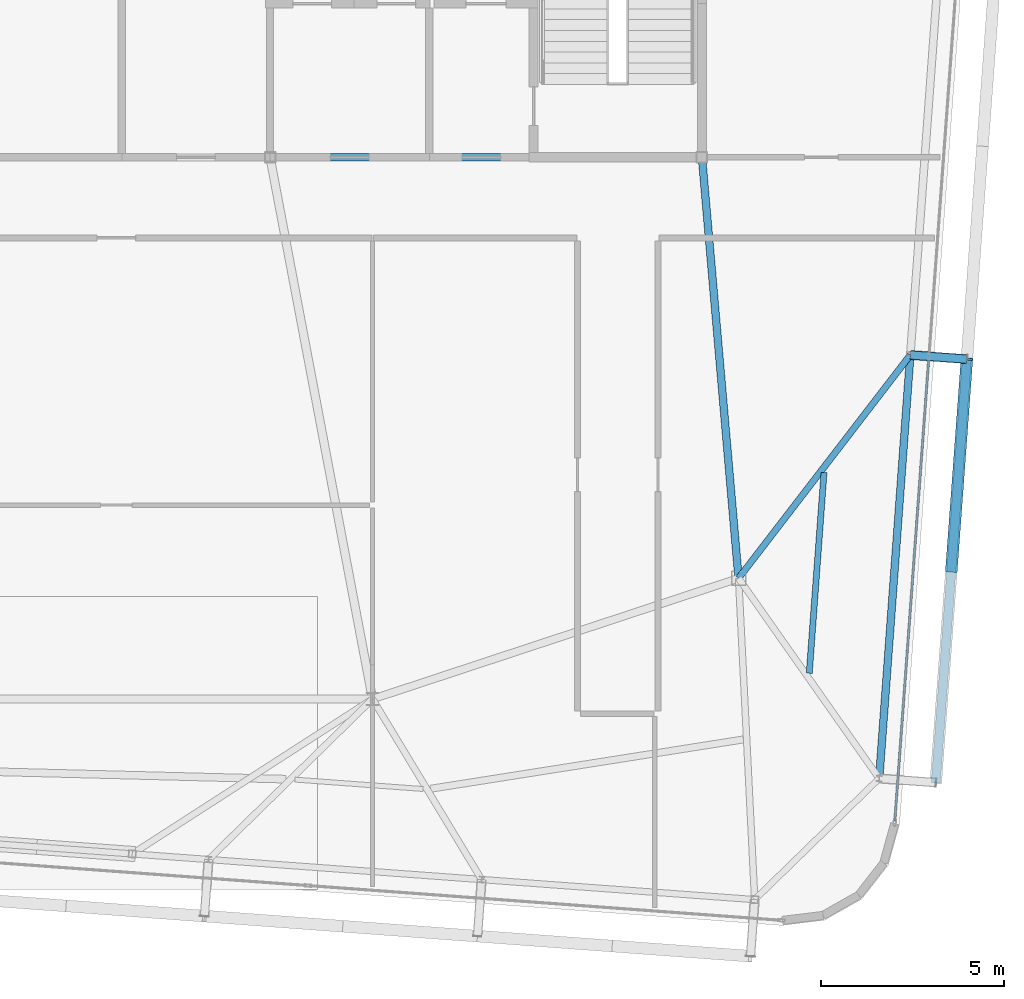
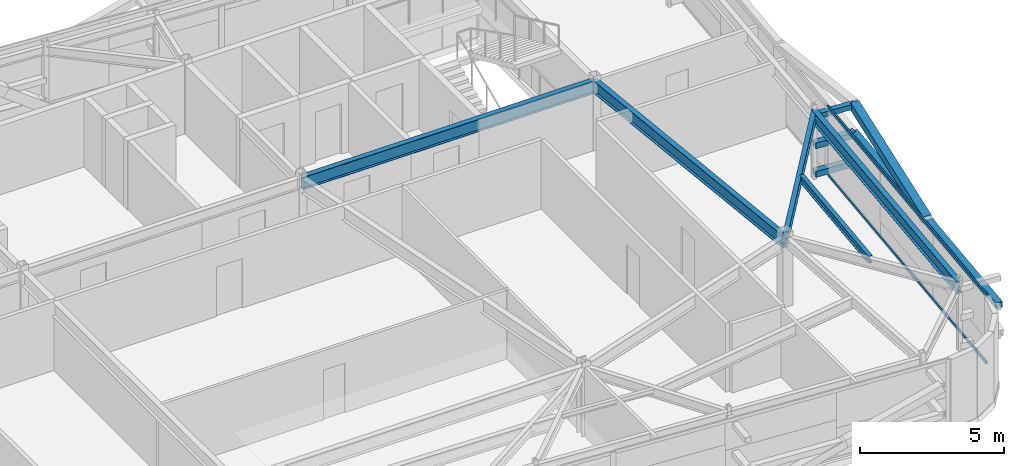
# One storey, part 16 of 35: 7 members, 5 beams, 1 element without a shape of its own.
"""IFC4 building model written with IfcOpenShell, lengths in metres."""

import ifcopenshell
import ifcopenshell.guid

model = None  # the IFC model being written
_history = None  # IfcOwnerHistory: only IFC2X3 demands one
_inside = {}  # id of a spatial element -> (the spatial element, [elements in it])
_under = {}  # id of a project, library or spatial element -> (it, [spatial elements below it])
_declared = {}  # id of a project -> (the project, [libraries it declares])
_typed = {}  # id of a type object -> (the type object, [elements of that type])
_made_of = {}  # id of a material, layer set ... -> (it, [elements and type objects made of it])


def new_model(schema):
    """Start an empty IFC model of exactly this schema.

    Asked for "IFC4X3", IfcOpenShell would pick the latest addendum, in which some entities
    have other attributes; the version numbers below select the first issue.
    IFC2X3 requires an IfcOwnerHistory on every rooted entity: one is made here for all.
    """
    global model, _history
    if schema == "IFC4X3":
        model = ifcopenshell.file(schema_version=(4, 3, 0, 0))
    else:
        model = ifcopenshell.file(schema=schema)
    _inside.clear()
    _under.clear()
    _declared.clear()
    _typed.clear()
    _made_of.clear()
    _history = None
    if model.schema == "IFC2X3":
        org = make("IfcOrganization", Name="unknown")
        user = make(
            "IfcPersonAndOrganization",
            ThePerson=make("IfcPerson", FamilyName="unknown"),
            TheOrganization=org,
        )
        app = make(
            "IfcApplication",
            ApplicationDeveloper=org,
            Version="unknown",
            ApplicationFullName="unknown",
            ApplicationIdentifier="unknown",
        )
        _history = make(
            "IfcOwnerHistory",
            OwningUser=user,
            OwningApplication=app,
            ChangeAction="ADDED",
            CreationDate=0,
        )
    return model


def make(cls, **values):
    """One entity of the class cls with the attributes given. An attribute that is None is left unset."""
    return model.create_entity(
        cls, **{name: value for name, value in values.items() if value is not None}
    )


def rooted(cls, **values):
    """An entity with a GlobalId (a new one), such as an element, a storey or a relation."""
    return make(cls, GlobalId=ifcopenshell.guid.new(), OwnerHistory=_history, **values)


def si_unit(unit_type, name, prefix=None):
    """IfcSIUnit, for example si_unit("LENGTHUNIT", "METRE", prefix="MILLI")."""
    return make("IfcSIUnit", UnitType=unit_type, Prefix=prefix, Name=name)


def assignment(units):
    """IfcUnitAssignment: the units of a project."""
    return None if units is None else make("IfcUnitAssignment", Units=units)


def point(xyz):
    """IfcCartesianPoint."""
    return None if xyz is None else make("IfcCartesianPoint", Coordinates=xyz)


def direction(xyz):
    """IfcDirection."""
    return None if xyz is None else make("IfcDirection", DirectionRatios=xyz)


def frame(location, z_axis=None, x_axis=None):
    """IfcAxis2Placement3D, a coordinate frame: its origin and axes. An axis left out is left unset."""
    return make(
        "IfcAxis2Placement3D",
        Location=point(location),
        Axis=direction(z_axis),
        RefDirection=direction(x_axis),
    )


def frame_2d(location, x_axis=None):
    """IfcAxis2Placement2D, a coordinate frame in the plane: its origin and x axis."""
    return make(
        "IfcAxis2Placement2D", Location=point(location), RefDirection=direction(x_axis)
    )


def origin():
    """The frame at (0, 0, 0) with its axes left unset."""
    return frame((0.0, 0.0, 0.0))


def origin_2d():
    """The frame at (0, 0) in the plane with its x axis left unset."""
    return frame_2d((0.0, 0.0))


def place(relative_to, where):
    """IfcLocalPlacement: puts the frame where relative to a parent placement (None: the world)."""
    return make(
        "IfcLocalPlacement", PlacementRelTo=relative_to, RelativePlacement=where
    )


def context(
    kind, dimensions, precision=None, world=None, true_north=None, identifier=None
):
    """IfcGeometricRepresentationContext, for example the 3D "Model" context."""
    return make(
        "IfcGeometricRepresentationContext",
        ContextIdentifier=identifier,
        ContextType=kind,
        CoordinateSpaceDimension=dimensions,
        Precision=precision,
        WorldCoordinateSystem=world,
        TrueNorth=true_north,
    )


def subcontext(parent, identifier, kind, view, scale=None):
    """IfcGeometricRepresentationSubContext, for example "Body" below "Model"."""
    return make(
        "IfcGeometricRepresentationSubContext",
        ContextIdentifier=identifier,
        ContextType=kind,
        ParentContext=parent,
        TargetScale=scale,
        TargetView=view,
    )


def project(units=None, contexts=None):
    """IfcProject with its units and contexts."""
    return rooted(
        "IfcProject",
        Name="project",
        RepresentationContexts=contexts,
        UnitsInContext=assignment(units),
    )


def spatial(cls, under=None, at=None, **own):
    """A site, building, storey or space (cls), placed at a placement, below another one or the project."""
    s = rooted(cls, ObjectPlacement=at, **own)
    if under is not None:
        _under.setdefault(under.id(), (under, []))[1].append(s)
    return s


def profile(cls, at=None, kind="AREA", **sizes):
    """A parametric profile (cls). Its sizes go by their IFC names, for example OverallWidth=200.0."""
    return make(cls, ProfileType=kind, Position=at, **sizes)


def hollow_rectangle(**sizes):
    """IfcRectangleHollowProfileDef."""
    return profile("IfcRectangleHollowProfileDef", **sizes)


def i_section(**sizes):
    """IfcIShapeProfileDef."""
    return profile("IfcIShapeProfileDef", **sizes)


def extrude(swept, where, along, depth):
    """IfcExtrudedAreaSolid: the profile swept, set in the frame where, extruded along a direction by depth."""
    return make(
        "IfcExtrudedAreaSolid",
        SweptArea=swept,
        Position=where,
        ExtrudedDirection=direction(along),
        Depth=depth,
    )


def shape(context_of_items, identifier, shape_type, items):
    """IfcShapeRepresentation: the items that make up one representation, for example the "Body"."""
    return make(
        "IfcShapeRepresentation",
        ContextOfItems=context_of_items,
        RepresentationIdentifier=identifier,
        RepresentationType=shape_type,
        Items=items,
    )


def source(mapping_origin, context_of_items, identifier, shape_type, items):
    """IfcRepresentationMap: a shape defined once, which mapped items show again and again."""
    return make(
        "IfcRepresentationMap",
        MappingOrigin=mapping_origin,
        MappedRepresentation=shape(context_of_items, identifier, shape_type, items),
    )


def transform(
    local_origin,
    x_axis=None,
    y_axis=None,
    z_axis=None,
    scale=None,
    scale2=None,
    scale3=None,
    uniform=True,
):
    """IfcCartesianTransformationOperator3D, or its non-uniform kind. x_axis, y_axis, z_axis: its Axis1, 2, 3."""
    if uniform:
        return make(
            "IfcCartesianTransformationOperator3D",
            Axis1=direction(x_axis),
            Axis2=direction(y_axis),
            LocalOrigin=point(local_origin),
            Scale=scale,
            Axis3=direction(z_axis),
        )
    return make(
        "IfcCartesianTransformationOperator3DnonUniform",
        Axis1=direction(x_axis),
        Axis2=direction(y_axis),
        LocalOrigin=point(local_origin),
        Scale=scale,
        Axis3=direction(z_axis),
        Scale2=scale2,
        Scale3=scale3,
    )


def mapped(mapping_source, mapping_target):
    """IfcMappedItem: shows the shape of a source again, moved by a transform."""
    return make(
        "IfcMappedItem", MappingSource=mapping_source, MappingTarget=mapping_target
    )


def material(Name=None, Category=None):
    """IfcMaterial."""
    return make("IfcMaterial", Name=Name, Category=Category)


def layer(
    of_material, thickness, ventilated=None, Name=None, Category=None, Priority=None
):
    """IfcMaterialLayer: one layer of a wall or slab, of a material (None: an air gap)."""
    return make(
        "IfcMaterialLayer",
        Material=of_material,
        LayerThickness=thickness,
        IsVentilated=ventilated,
        Name=Name,
        Category=Category,
        Priority=Priority,
    )


def layer_set(layers, Name=None):
    """IfcMaterialLayerSet."""
    return make("IfcMaterialLayerSet", MaterialLayers=layers, LayerSetName=Name)


def material_profile(
    of_material, cross_section, Name=None, Category=None, Priority=None
):
    """IfcMaterialProfile: a cross section and its material."""
    return make(
        "IfcMaterialProfile",
        Name=Name,
        Material=of_material,
        Profile=cross_section,
        Priority=Priority,
        Category=Category,
    )


def profile_set(profiles, Name=None, composite=None):
    """IfcMaterialProfileSet."""
    return make(
        "IfcMaterialProfileSet",
        Name=Name,
        MaterialProfiles=profiles,
        CompositeProfile=composite,
    )


def made_of(thing, what):
    """Note that an element or type object is made of a material, layer set ...; save() writes the relation."""
    if what is not None:
        _made_of.setdefault(what.id(), (what, []))[1].append(thing)
    return thing


def type_object(cls, material=None, **own):
    """A type object (cls), such as IfcWallType, which elements share."""
    return made_of(rooted(cls, **own), material)


def element(
    cls,
    number,
    at=None,
    inside=None,
    cuts=None,
    type_object=None,
    material=None,
    context=None,
    identifier="Body",
    shape_type=None,
    held_by="IfcProductDefinitionShape",
    body=None,
    shapes=None,
    **own,
):
    """One element of the class cls, such as IfcWall. Its Tag is "e" and its number.

    at: its placement. inside: the storey or other place that contains it. cuts: it is an
    opening in that element (IfcRelVoidsElement). A single representation is given by context,
    identifier, shape_type and body (its items); several are given by shapes. held_by: the class
    of the entity that holds the representations. save() writes the other relations.
    """
    e = rooted(cls, Tag="e%d" % number, ObjectPlacement=at, **own)
    if body is not None:
        shapes = [shape(context, identifier, shape_type, body)]
    if shapes is not None:
        e.Representation = make(held_by, Representations=shapes)
    if inside is not None:
        _inside.setdefault(inside.id(), (inside, []))[1].append(e)
    if cuts is not None:
        rooted(
            "IfcRelVoidsElement", RelatingBuildingElement=cuts, RelatedOpeningElement=e
        )
    if type_object is not None:
        _typed.setdefault(type_object.id(), (type_object, []))[1].append(e)
    return made_of(e, material)


def aggregate(whole, parts):
    """IfcRelAggregates: a whole, such as a stair, and the parts it consists of."""
    return rooted("IfcRelAggregates", RelatingObject=whole, RelatedObjects=parts)


def save(model, path):
    """Write the relations noted so far, then the file.

    IfcRelAggregates (storeys below a building ...), IfcRelContainedInSpatialStructure (elements
    in a storey), IfcRelDefinesByType, IfcRelAssociatesMaterial and IfcRelDeclares: one each for
    every whole, place, type object, material and project.
    """
    for whole, parts in _under.values():
        aggregate(whole, parts)
    for where, things in _inside.values():
        rooted(
            "IfcRelContainedInSpatialStructure",
            RelatedElements=things,
            RelatingStructure=where,
        )
    for kind, things in _typed.values():
        rooted("IfcRelDefinesByType", RelatedObjects=things, RelatingType=kind)
    for what, things in _made_of.values():
        rooted("IfcRelAssociatesMaterial", RelatedObjects=things, RelatingMaterial=what)
    for by, libraries in _declared.values():
        rooted("IfcRelDeclares", RelatingContext=by, RelatedDefinitions=libraries)
    model.write(path)


model = new_model("IFC4")

# Units and contexts
model_context = context("Model", 3, precision=1e-05, world=origin(), true_north=direction((0.0, 1.0)))
body_context = subcontext(model_context, "Body", "Model", "MODEL_VIEW")
ifc_project = project(units=[si_unit("LENGTHUNIT", "METRE"), si_unit("AREAUNIT", "SQUARE_METRE"), si_unit("VOLUMEUNIT", "CUBIC_METRE"), si_unit("PLANEANGLEUNIT", "RADIAN"), si_unit("MASSUNIT", "GRAM", prefix="KILO")], contexts=[model_context])

# Site, building, storey
site_placement = place(None, origin())
site = spatial("IfcSite", under=ifc_project, at=site_placement, CompositionType="ELEMENT")
building_placement = place(site_placement, origin())
building = spatial("IfcBuilding", under=site, at=building_placement, Name="Taldren Reach Tower", CompositionType="ELEMENT")
storey_placement = place(building_placement, frame((0.0, 0.0, 236.60009765625)))
storey = spatial("IfcBuildingStorey", under=building, at=storey_placement, Name="L72", CompositionType="ELEMENT", Elevation=236.60009765625)

# Beams
ifc_material_1 = material(Name="Steel Gr 350 (350PLUS)", Category="steel")
ifc_material_profile_1 = material_profile(ifc_material_1, i_section(OverallWidth=0.208984375, OverallDepth=0.532958984375, WebThickness=0.01025390625, FlangeThickness=0.015625, at=origin_2d()), Name="530UB92.4")
ifc_profile_set_1 = profile_set([ifc_material_profile_1], Name="Steel Gr 350 (350PLUS)")
beam_type_1 = type_object("IfcBeamType", Name="BM-UB530A", PredefinedType="BEAM", material=ifc_profile_set_1)
shared_shape_1 = source(origin(), body_context, "Body", "SweptSolid", [
    extrude(i_section(OverallWidth=0.208984375, OverallDepth=0.532958984375, WebThickness=0.01025390625, FlangeThickness=0.015625, at=origin_2d()), origin(), (0.0, 0.0, 1.0), 11.800048828125),
])
beam_1_placement = place(storey_placement, frame((39.199951171875, 24.0, 2.663330078125), z_axis=(1.0, 0.0, 0.0), x_axis=(0.0, 1.0, 0.0)))
element("IfcBeam", 1, at=beam_1_placement, inside=storey, type_object=beam_type_1, Name="Core-spine girder L72-SP03", PredefinedType="BEAM", context=body_context, shape_type="MappedRepresentation", body=[
    mapped(shared_shape_1, transform((0.0, 0.0, 0.0), scale=1.0)),
])
shared_shape_2 = source(origin(), body_context, "Body", "SweptSolid", [
    extrude(i_section(OverallWidth=0.208984375, OverallDepth=0.532958984375, WebThickness=0.01025390625, FlangeThickness=0.015625, at=origin_2d()), origin(), (0.0, 0.0, 1.0), 11.54345703125),
])
beam_2_placement = place(storey_placement, frame((52.0, 12.5, 2.663330078125), z_axis=(-0.086629616365, 0.996240588196, 0.0), x_axis=(-0.996240588196, -0.086629616365, 0.0)))
element("IfcBeam", 2, at=beam_2_placement, inside=storey, type_object=beam_type_1, Name="Core-spine girder L72-SP13", PredefinedType="BEAM", context=body_context, shape_type="MappedRepresentation", body=[
    mapped(shared_shape_2, transform((0.0, 0.0, 0.0), scale=1.0)),
])
ifc_material_profile_2 = material_profile(ifc_material_1, i_section(OverallWidth=0.208984375, OverallDepth=0.528076171875, WebThickness=0.009521484375, FlangeThickness=0.01318359375, at=origin_2d()), Name="530UB82.0")
ifc_profile_set_2 = profile_set([ifc_material_profile_2], Name="Steel Gr 350 (350PLUS)")
beam_type_2 = type_object("IfcBeamType", Name="SP-UB530B", PredefinedType="SPANDREL", material=ifc_profile_set_2)
shared_shape_3 = source(origin(), body_context, "Body", "SweptSolid", [
    extrude(i_section(OverallWidth=0.208984375, OverallDepth=0.528076171875, WebThickness=0.009521484375, FlangeThickness=0.01318359375, at=origin_2d()), origin(), (0.0, 0.0, 1.0), 11.60009765625),
])
beam_3_placement = place(storey_placement, frame((55.841796875, 7.031005859375, 2.666015625), z_axis=(0.073242167855, 0.997314185625, 0.0), x_axis=(-0.997314185625, 0.073242167855, 0.0)))
element("IfcBeam", 3, at=beam_3_placement, inside=storey, type_object=beam_type_2, Name="Perimeter spandrel B5 E1-E2 L72", PredefinedType="SPANDREL", context=body_context, shape_type="MappedRepresentation", body=[
    mapped(shared_shape_3, transform((0.0, 0.0, 0.0), scale=1.0)),
])
ifc_material_profile_3 = material_profile(ifc_material_1, i_section(OverallWidth=0.177978515625, OverallDepth=0.406005859375, WebThickness=0.0078125, FlangeThickness=0.0126953125, at=origin_2d()), Name="410UB59.7")
ifc_profile_set_3 = profile_set([ifc_material_profile_3], Name="Steel Gr 350 (350PLUS)")
beam_type_3 = type_object("IfcBeamType", Name="BM-UB410", PredefinedType="BEAM", material=ifc_profile_set_3)
shared_shape_4 = source(origin(), body_context, "Body", "SweptSolid", [
    extrude(i_section(OverallWidth=0.177978515625, OverallDepth=0.406005859375, WebThickness=0.0078125, FlangeThickness=0.0126953125, at=origin_2d()), origin(), (0.0, 0.0, 1.0), 7.6953125),
])
beam_4_placement = place(storey_placement, frame((52.0, 12.5, 2.726806640625), z_axis=(0.609646363361, 0.792673521471, 0.0), x_axis=(-0.792673521471, 0.609646363361, 0.0)))
element("IfcBeam", 4, at=beam_4_placement, inside=storey, type_object=beam_type_3, Name="Primary floor girder B5-E2 L72", PredefinedType="BEAM", context=body_context, shape_type="MappedRepresentation", body=[
    mapped(shared_shape_4, transform((0.0, 0.0, 0.0), scale=1.0)),
])
ifc_material_2 = material(Name="Steel Gr 300 (300PLUS, 300 MPa)", Category="steel")
ifc_material_profile_4 = material_profile(ifc_material_2, i_section(OverallWidth=0.166015625, OverallDepth=0.306884765625, WebThickness=0.006591796875, FlangeThickness=0.01171875, at=origin_2d()), Name="310UB46.2")
ifc_profile_set_4 = profile_set([ifc_material_profile_4], Name="Steel Gr 300 (300PLUS, 300 MPa)")
beam_type_4 = type_object("IfcBeamType", Name="JS-UB310", PredefinedType="JOIST", material=ifc_profile_set_4)
shared_shape_5 = source(origin(), body_context, "Body", "SweptSolid", [
    extrude(i_section(OverallWidth=0.166015625, OverallDepth=0.306884765625, WebThickness=0.006591796875, FlangeThickness=0.01171875, at=origin_2d()), origin(), (0.0, 0.0, 1.0), 5.49755859375),
])
beam_5_placement = place(storey_placement, frame((53.93115234375, 9.905517578125, 2.7763671875), z_axis=(0.073228814191, 0.99731516622, 0.0), x_axis=(-0.99731516622, 0.073228814191, 0.0)))
element("IfcBeam", 5, at=beam_5_placement, inside=storey, type_object=beam_type_4, Name="Secondary floor joist B5 J7 L72", PredefinedType="JOIST", context=body_context, shape_type="MappedRepresentation", body=[
    mapped(shared_shape_5, transform((0.0, 0.0, 0.0), scale=1.0)),
])

# Members
ifc_material_3 = material(Name="Steel Gr 450 (C450L0)", Category="steel")
ifc_material_profile_5 = material_profile(ifc_material_3, hollow_rectangle(XDim=0.219970703125, YDim=0.219970703125, WallThickness=0.00830078125, at=origin_2d()), Name="220x220x8.2SHS")
ifc_profile_set_5 = profile_set([ifc_material_profile_5], Name="Steel Gr 450 (C450L0)")
member_type_1 = type_object("IfcMemberType", Name="MB-TIE219", PredefinedType="STRUT", material=ifc_profile_set_5)
shared_shape_6 = source(origin(), body_context, "Body", "SweptSolid", [
    extrude(hollow_rectangle(XDim=0.219970703125, YDim=0.219970703125, WallThickness=0.00830078125, at=origin_2d()), origin(), (0.0, 0.0, 1.0), 1.5458984375),
])
member_1_placement = place(storey_placement, frame((56.6953125, 18.599365234375, 2.64990234375), z_axis=(0.99732305975, -0.073121231459, 0.0), x_axis=(0.073121231459, 0.99732305975, 0.0)))
element("IfcMember", 6, at=member_1_placement, inside=storey, type_object=member_type_1, Name="Exoskeleton diaphragm tie strut B5-E2 L72", PredefinedType="STRUT", context=body_context, shape_type="MappedRepresentation", body=[
    mapped(shared_shape_6, transform((0.0, 0.0, 0.0), scale=1.0)),
])
ifc_material_profile_6 = material_profile(ifc_material_3, hollow_rectangle(XDim=0.324951171875, YDim=0.324951171875, WallThickness=0.0126953125, at=origin_2d()), Name="325x325x12.7SHS")
ifc_profile_set_6 = profile_set([ifc_material_profile_6], Name="Steel Gr 450 (C450L0)")
member_type_2 = type_object("IfcMemberType", Name="MB-BR324", PredefinedType="BRACE", material=ifc_profile_set_6)
shared_shape_7 = source(origin(), body_context, "Body", "SweptSolid", [
    extrude(hollow_rectangle(XDim=0.324951171875, YDim=0.324951171875, WallThickness=0.0126953125, at=origin_2d()), origin(), (0.0, 0.0, 1.0), 5.926025390625),
])
member_2_placement = place(storey_placement, frame((57.812255859375, 12.701904296875, 1.434814453125), z_axis=(0.071685935393, 0.976123486939, 0.205046494513), x_axis=(-0.997314185625, 0.073242167855, 0.0)))
element("IfcMember", 7, at=member_2_placement, inside=storey, type_object=member_type_2, Name="Exoskeleton Diagrid Brace B5-E1 L72", PredefinedType="BRACE", context=body_context, shape_type="MappedRepresentation", body=[
    mapped(shared_shape_7, transform((0.0, 0.0, 0.0), scale=1.0)),
])
ifc_material_4 = material(Name="Steel Gr 350 (C350L0)", Category="steel")
ifc_material_profile_7 = material_profile(ifc_material_4, hollow_rectangle(XDim=0.25, YDim=0.25, WallThickness=0.010009765625, at=origin_2d()), Name="250x250x10.0SHS")
ifc_profile_set_7 = profile_set([ifc_material_profile_7], Name="Steel Gr 350 (C350L0)")
member_type_3 = type_object("IfcMemberType", Name="MB-POST250", PredefinedType="POST", material=ifc_profile_set_7)
shared_shape_8 = source(origin(), body_context, "Body", "SweptSolid", [
    extrude(hollow_rectangle(XDim=0.25, YDim=0.25, WallThickness=0.010009765625, at=origin_2d()), origin(), (0.0, 0.0, 1.0), 11.60009765625),
])
member_3_placement = place(storey_placement, frame((57.3876953125, 6.91748046875, 1.434814453125), z_axis=(0.073221234109, 0.997315722766, 0.0), x_axis=(-0.997315722766, 0.073221234109, 0.0)))
element("IfcMember", 8, at=member_3_placement, inside=storey, type_object=member_type_3, Name="Exoskeleton mid-height ring chord B5-E1 L72", PredefinedType="POST", context=body_context, shape_type="MappedRepresentation", body=[
    mapped(shared_shape_8, transform((0.0, 0.0, 0.0), scale=1.0)),
])
shared_shape_9 = source(origin(), body_context, "Body", "SweptSolid", [
    extrude(hollow_rectangle(XDim=0.25, YDim=0.25, WallThickness=0.010009765625, at=origin_2d()), origin(), (0.0, 0.0, 1.0), 1.5458984375),
])
for number, where, z_axis, x_axis, name in (
    (9, (56.6953125, 18.599365234375, 0.219970703125), (0.99732305975, -0.073121231459, 0.0), (0.073121231459, 0.99732305975, 0.0), "Exoskeleton base diaphragm tie strut B5-E2 L72"),
    (10, (56.6953125, 18.599365234375, 1.434814453125), (0.99732305975, -0.073121231459, 0.0), (0.073121231459, 0.99732305975, 0.0), "Exoskeleton mid-tier diaphragm tie B5-E2 L72"),
):
    element("IfcMember", number, at=place(storey_placement, frame(where, z_axis=z_axis, x_axis=x_axis)), inside=storey, type_object=member_type_3, Name=name, PredefinedType="POST", context=body_context, shape_type="MappedRepresentation", body=[
        mapped(shared_shape_9, transform((0.0, 0.0, 0.0), scale=1.0)),
    ])

# Curtain wall, members
ifc_material_5 = material(Name="Aluminium and Low-E Glass Unitised System", Category="aluminium")
ifc_layer = layer(ifc_material_5, 0.159912109375)
ifc_layer_set = layer_set([ifc_layer], Name="Aluminium and Low-E Glass Unitised System")
curtain_wall_type = type_object("IfcCurtainWallType", Name="CW-SYS-6", PredefinedType="NOTDEFINED", material=ifc_layer_set)
curtain_wall_placement = place(storey_placement, origin())
curtain_wall = element("IfcCurtainWall", 11, at=curtain_wall_placement, inside=storey, type_object=curtain_wall_type, Name="Unitised curtain wall CW-L72-E", PredefinedType="NOTDEFINED")
ifc_material_6 = material(Name="Anodised Aluminium 6063-T6", Category="aluminium")
ifc_material_profile_8 = material_profile(ifc_material_6, hollow_rectangle(XDim=0.06005859375, YDim=0.135009765625, WallThickness=0.00341796875, at=origin_2d()), Name="ALU-135x60x3.5RHS")
ifc_profile_set_8 = profile_set([ifc_material_profile_8], Name="Anodised Aluminium 6063-T6")
member_type_4 = type_object("IfcMemberType", Name="CW-TRN-150", PredefinedType="USERDEFINED", material=ifc_profile_set_8)
shared_shape_10 = source(origin(), body_context, "Body", "SweptSolid", [
    extrude(hollow_rectangle(XDim=0.06005859375, YDim=0.135009765625, WallThickness=0.00341796875, at=origin_2d()), origin(), (0.0, 0.0, 1.0), 12.6875),
])
member_4_placement = place(storey_placement, frame((56.26806640625, 5.87158203125, 0.02978515625), z_axis=(0.073237997916, 0.997314491854, 0.0), x_axis=(-0.997314491854, 0.073237997916, 0.0)))
member_4 = element("IfcMember", 12, at=member_4_placement, type_object=member_type_4, Name="CW-6 transom 1.1", ObjectType="TRANSOM", PredefinedType="USERDEFINED", context=body_context, shape_type="MappedRepresentation", body=[
    mapped(shared_shape_10, transform((0.0, 0.0, 0.0), scale=1.0)),
])
member_5_placement = place(storey_placement, frame((56.26806640625, 5.87158203125, 2.89990234375), z_axis=(0.073237997916, 0.997314491854, 0.0), x_axis=(-0.997314491854, 0.073237997916, 0.0)))
member_5 = element("IfcMember", 13, at=member_5_placement, type_object=member_type_4, Name="CW-6 transom 1.2", ObjectType="TRANSOM", PredefinedType="USERDEFINED", context=body_context, shape_type="MappedRepresentation", body=[
    mapped(shared_shape_10, transform((0.0, 0.0, 0.0), scale=1.0)),
])
aggregate(curtain_wall, [member_4, member_5])

save(model, "model.ifc")
